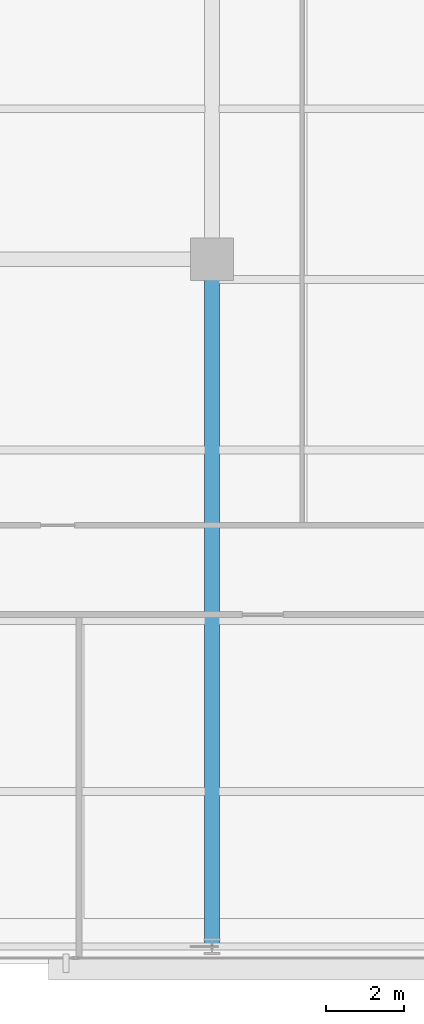
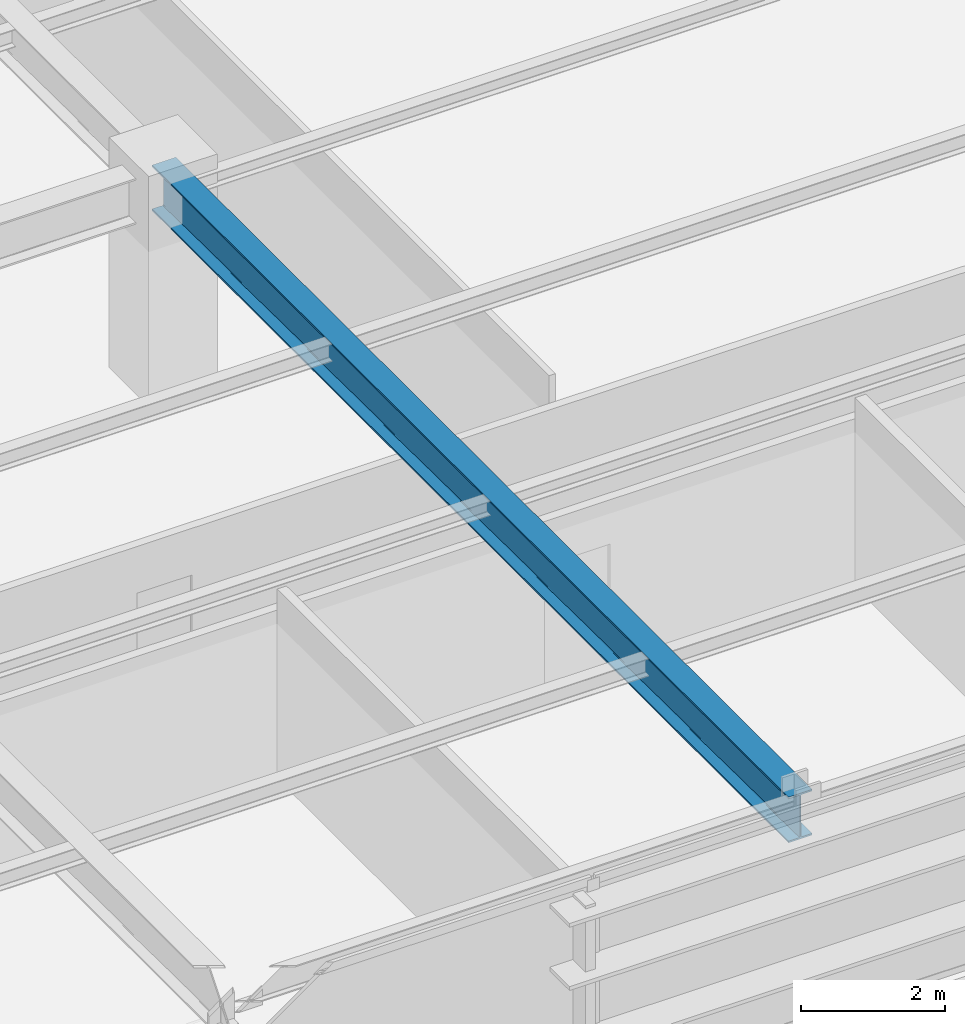
# One storey, part 13 of 32: 1 beam.
"""IFC4 building model written with IfcOpenShell, lengths in metres."""

from ifc_helpers import new_model, si_unit, direction, frame, origin, origin_2d, place, context, subcontext, project, spatial, i_section, extrude, source, transform, mapped, material, material_profile, profile_set, type_object, type_shapes, element, save


model = new_model("IFC4")

# Units and contexts
model_context = context("Model", 3, precision=1e-05, world=origin(), true_north=direction((0.0, 1.0)))
body_context = subcontext(model_context, "Body", "Model", "MODEL_VIEW")
ifc_project = project(units=[si_unit("LENGTHUNIT", "METRE"), si_unit("AREAUNIT", "SQUARE_METRE"), si_unit("VOLUMEUNIT", "CUBIC_METRE"), si_unit("PLANEANGLEUNIT", "RADIAN"), si_unit("MASSUNIT", "GRAM", prefix="KILO")], contexts=[model_context])

# Site, building, storey
site_placement = place(None, origin())
site = spatial("IfcSite", under=ifc_project, at=site_placement, CompositionType="ELEMENT")
building_placement = place(site_placement, origin())
building = spatial("IfcBuilding", under=site, at=building_placement, Name="Varnel Quay Broadcast Tower", CompositionType="ELEMENT")
storey_placement = place(building_placement, frame((0.0, 0.0, 54.89990234375)))
storey = spatial("IfcBuildingStorey", under=building, at=storey_placement, Name="L12", CompositionType="ELEMENT", Elevation=54.89990234375)

# Beam
ifc_material = material(Name="Structural Steel CSA G40.21 350W", Category="steel")
ifc_material_profile = material_profile(ifc_material, i_section(OverallWidth=0.381103515625, OverallDepth=0.77294921875, WebThickness=0.0166015625, FlangeThickness=0.027587890625, FilletRadius=0.01806640625, at=origin_2d()), Name="W760X257")
ifc_profile_set = profile_set([ifc_material_profile], Name="Structural Steel CSA G40.21 350W")
beam_type = type_object("IfcBeamType", Name="Girder_W760X257", PredefinedType="BEAM", material=ifc_profile_set)
shared_shape = source(origin(), body_context, "Body", "SweptSolid", [
    extrude(i_section(OverallWidth=0.381103515625, OverallDepth=0.77294921875, WebThickness=0.0166015625, FlangeThickness=0.027587890625, FilletRadius=0.01806640625, at=origin_2d()), origin(), (0.0, 0.0, 1.0), 17.68017578125),
])
type_shapes(beam_type, [shared_shape])
beam_placement = place(storey_placement, frame((43.199951171875, 1.669921875, 3.263671875), z_axis=(0.0, 1.0, 0.0), x_axis=(-1.0, 0.0, 0.0)))
element("IfcBeam", 1, at=beam_placement, inside=storey, type_object=beam_type, Name="L12 Primary Girder TC-S4-IC-02", PredefinedType="BEAM", context=body_context, shape_type="MappedRepresentation", body=[
    mapped(shared_shape, transform((0.0, 0.0, 0.0), x_axis=(1.0, 0.0, 0.0), y_axis=(0.0, 1.0, 0.0), z_axis=(0.0, 0.0, 1.0), scale=1.0)),
])

save(model, "model.ifc")
